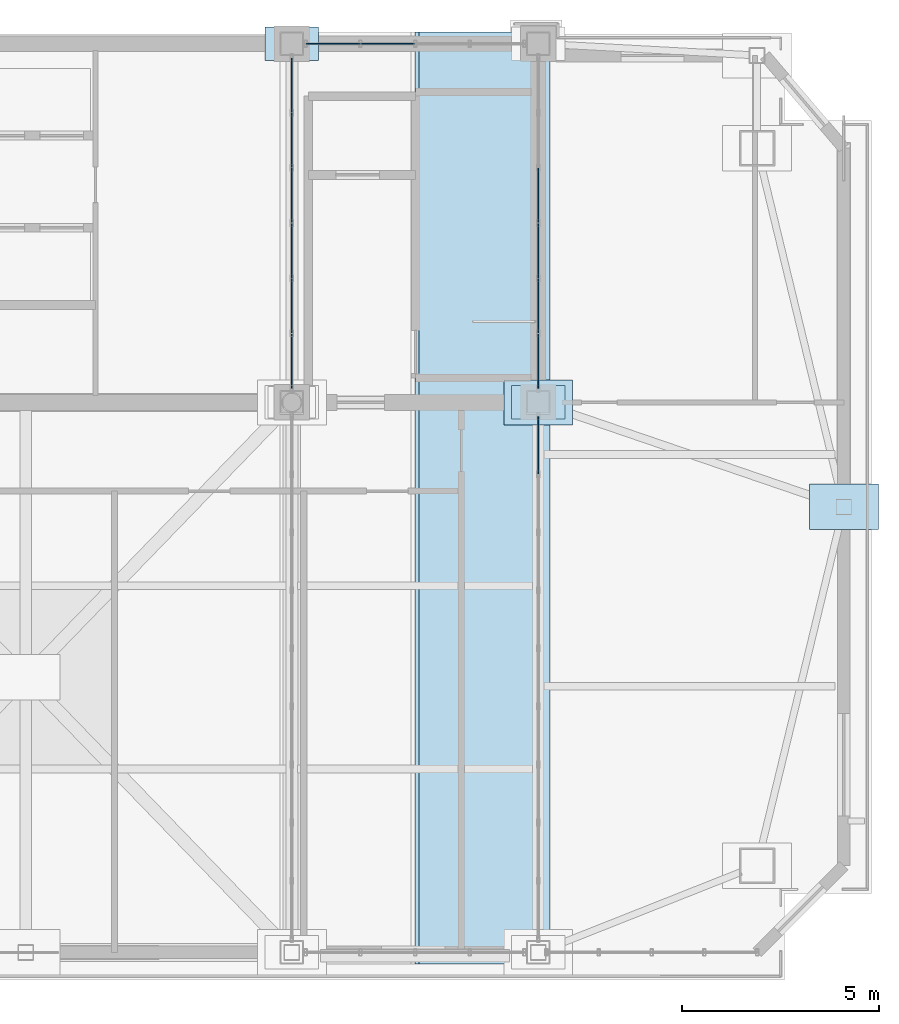
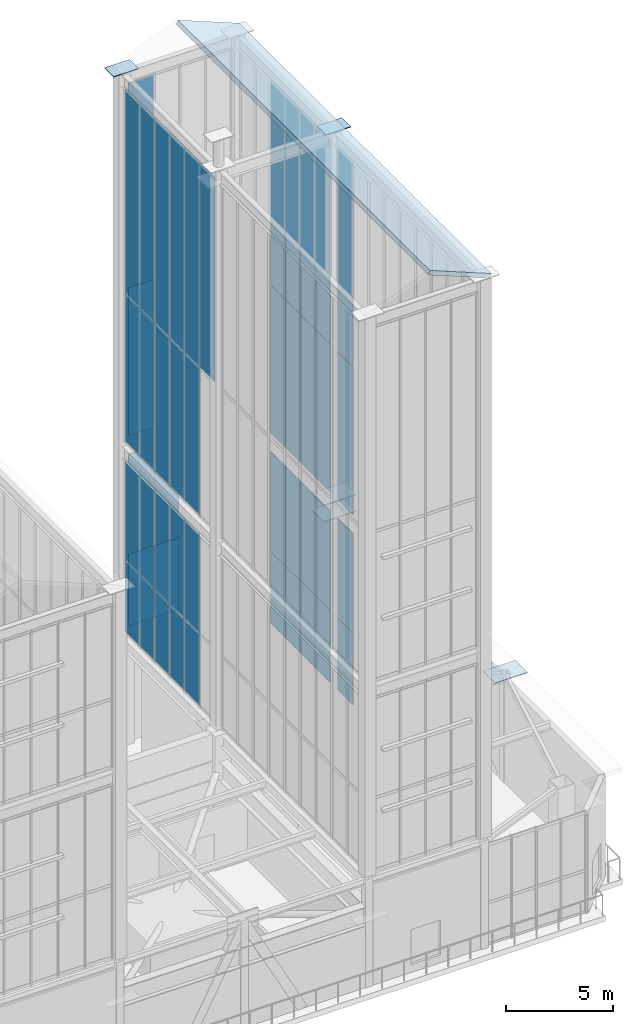
# One storey, part 129 of 135: 52 plates, 1 slab, 8 elements without a shape of their own.
"""IFC4 building model written with IfcOpenShell, lengths in metres."""

from ifc_helpers import new_model, si_unit, direction, frame, origin, origin_2d, place, context, subcontext, project, spatial, polyline, rectangle, outline, extrude, source, transform, mapped, material, layer, layer_set, type_object, element, aggregate, save


model = new_model("IFC4")

# Units and contexts
model_context = context("Model", 3, precision=1e-05, world=origin(), true_north=direction((0.0, 1.0)))
body_context = subcontext(model_context, "Body", "Model", "MODEL_VIEW")
ifc_project = project(units=[si_unit("LENGTHUNIT", "METRE"), si_unit("AREAUNIT", "SQUARE_METRE"), si_unit("VOLUMEUNIT", "CUBIC_METRE"), si_unit("PLANEANGLEUNIT", "RADIAN"), si_unit("MASSUNIT", "GRAM", prefix="KILO")], contexts=[model_context])

# Site, building, storey
site_placement = place(None, origin())
site = spatial("IfcSite", under=ifc_project, at=site_placement, CompositionType="ELEMENT")
building_placement = place(site_placement, origin())
building = spatial("IfcBuilding", under=site, at=building_placement, Name="Giltprow Tower", CompositionType="ELEMENT")
storey_placement = place(building_placement, frame((0.0, 0.0, 352.699951171875)))
storey = spatial("IfcBuildingStorey", under=building, at=storey_placement, Name="L92", CompositionType="ELEMENT", Elevation=352.699951171875)

# Slab
ifc_material_1 = material(Name="Concrete C40", Category="concrete")
ifc_layer_1 = layer(ifc_material_1, 0.25, Name="Concrete C40")
ifc_layer_set_1 = layer_set([ifc_layer_1], Name="Concrete C40")
slab_type = type_object("IfcSlabType", Name="SLB-CRN-ROOF-250", PredefinedType="ROOF", material=ifc_layer_set_1)
slab_placement = place(storey_placement, frame((47.52294921875, 23.199951171875, 39.9599609375), z_axis=(0.374544043649, 0.0, 0.927209123859), x_axis=(0.927209123859, 0.0, -0.374544043649)))
element("IfcSlab", 1, at=slab_placement, inside=storey, type_object=slab_type, Name="Crown East Pitched Roof Slab East", PredefinedType="ROOF", context=body_context, shape_type="SweptSolid", body=[
    extrude(outline(polyline([(0.0, 0.0), (3.588347387752895, 0.0), (3.588347387752895, 23.650146484375), (0.0, 23.650146484375), (0.0, 0.0)])), origin(), (0.0, 0.0, -1.0), 0.25),
])

# Plates
ifc_material_2 = material(Name="Structural steel Q420GJC", Category="steel")
plate_type_1 = type_object("IfcPlateType", Name="PLT-CAP-SEAL-INT", PredefinedType="USERDEFINED", material=ifc_material_2)
shared_shape_1 = source(origin(), body_context, "Body", "SweptSolid", [
    extrude(rectangle(XDim=1.75, YDim=1.14990234375, at=origin_2d()), origin(), (0.0, 0.0, 1.0), 0.0400390625),
])
for number, where, z_axis, x_axis, name in (
    (2, (58.300048828125, 34.800048828125, 6.14013671875), (0.0, 0.0, 1.0), (1.0, 0.0, 0.0), "L92 Column Top Seal Plate E_MID"),
    (3, (50.550048828125, 37.449951171875, 16.47998046875), (0.0, 0.0, 1.0), (1.0, 0.0, 0.0), "Crown Brace Upper Seal Plate EAST-1"),
    (4, (50.550048828125, 37.449951171875, 17.429931640625), (0.0, 0.0, 1.0), (1.0, 0.0, 0.0), "Crown Brace Lower Seal Plate EAST-2"),
):
    element("IfcPlate", number, at=place(storey_placement, frame(where, z_axis=z_axis, x_axis=x_axis)), inside=storey, type_object=plate_type_1, Name=name, ObjectType="SPLICE", PredefinedType="USERDEFINED", context=body_context, shape_type="MappedRepresentation", body=[
        mapped(shared_shape_1, transform((0.0, 0.0, 0.0), x_axis=(1.0, 0.0, 0.0), y_axis=(0.0, 1.0, 0.0), z_axis=(0.0, 0.0, 1.0), scale=1.0)),
    ])
plate_type_2 = type_object("IfcPlateType", Name="PLT-NODE-CRN1", PredefinedType="USERDEFINED", material=ifc_material_2)
shared_shape_2 = source(origin(), body_context, "Body", "SweptSolid", [
    extrude(rectangle(XDim=1.35009765625, YDim=0.85009765625, at=origin_2d()), origin(), (0.0, 0.0, 1.0), 0.035888671875),
])
for number, where, z_axis, x_axis, name in (
    (5, (50.550048828125, 37.449951171875, 38.47802734375), (0.0, 0.0, 1.0), (1.0, 0.0, 0.0), "CRN1 Crown Frame Ring Node EAST-3"),
    (6, (44.300048828125, 46.550048828125, 38.47802734375), (0.0, 0.0, 1.0), (1.0, 0.0, 0.0), "CRN1 Crown Frame Ring Node EAST-5"),
):
    element("IfcPlate", number, at=place(storey_placement, frame(where, z_axis=z_axis, x_axis=x_axis)), inside=storey, type_object=plate_type_2, Name=name, ObjectType="SPLICE", PredefinedType="USERDEFINED", context=body_context, shape_type="MappedRepresentation", body=[
        mapped(shared_shape_2, transform((0.0, 0.0, 0.0), x_axis=(1.0, 0.0, 0.0), y_axis=(0.0, 1.0, 0.0), z_axis=(0.0, 0.0, 1.0), scale=1.0)),
    ])

# Curtain wall, plates
ifc_material_3 = material(Name="Anodized bronze", Category="metal")
ifc_layer_2 = layer(ifc_material_3, 0.179931640625, Name="Anodized bronze")
ifc_layer_set_2 = layer_set([ifc_layer_2], Name="Anodized bronze")
curtain_wall_type = type_object("IfcCurtainWallType", Name="CW-CROWN-LANTERN", PredefinedType="NOTDEFINED", material=ifc_layer_set_2)
curtain_wall_1_placement = place(storey_placement, origin())
curtain_wall_1 = element("IfcCurtainWall", 7, at=curtain_wall_1_placement, inside=storey, type_object=curtain_wall_type, Name="Crown East Lower Lantern Glazing 2", PredefinedType="NOTDEFINED")
ifc_material_4 = material(Name="Insulated glass", Category="glass")
plate_type_3 = type_object("IfcPlateType", Name="CW-PANEL-IGU-28", PredefinedType="CURTAIN_PANEL", material=ifc_material_4)
shared_shape_3 = source(origin(), body_context, "Body", "SweptSolid", [
    extrude(rectangle(XDim=1.44189453125, YDim=0.028076171875, at=origin_2d()), origin(), (0.0, 0.0, 1.0), 4.111083984375),
])
plate_1_placement = place(storey_placement, frame((50.550048828125, 36.364013671875, 6.45361328125), z_axis=(0.0, 0.0, 1.0), x_axis=(0.0, 1.0, 0.0)))
plate_1 = element("IfcPlate", 8, at=plate_1_placement, type_object=plate_type_3, Name="Crown East Lower Lantern Glazing 2 Glazing Panel 9-1", PredefinedType="CURTAIN_PANEL", context=body_context, shape_type="MappedRepresentation", body=[
    mapped(shared_shape_3, transform((0.0, 0.0, 0.0), x_axis=(1.0, 0.0, 0.0), y_axis=(0.0, 1.0, 0.0), z_axis=(0.0, 0.0, 1.0), scale=1.0)),
])
shared_shape_4 = source(origin(), body_context, "Body", "SweptSolid", [
    extrude(rectangle(XDim=1.44189453125, YDim=0.028076171875, at=origin_2d()), origin(), (0.0, 0.0, 1.0), 5.702880859375),
])
plate_2_placement = place(storey_placement, frame((50.550048828125, 36.364013671875, 10.5927734375), z_axis=(0.0, 0.0, 1.0), x_axis=(0.0, 1.0, 0.0)))
plate_2 = element("IfcPlate", 9, at=plate_2_placement, type_object=plate_type_3, Name="Crown East Lower Lantern Glazing 2 Glazing Panel 9-2", PredefinedType="CURTAIN_PANEL", context=body_context, shape_type="MappedRepresentation", body=[
    mapped(shared_shape_4, transform((0.0, 0.0, 0.0), x_axis=(1.0, 0.0, 0.0), y_axis=(0.0, 1.0, 0.0), z_axis=(0.0, 0.0, 1.0), scale=1.0)),
])
aggregate(curtain_wall_1, [plate_1, plate_2])

curtain_wall_2_placement = place(storey_placement, origin())
curtain_wall_2 = element("IfcCurtainWall", 10, at=curtain_wall_2_placement, inside=storey, type_object=curtain_wall_type, Name="Crown East Lower Lantern Glazing 3", PredefinedType="NOTDEFINED")
shared_shape_5 = source(origin(), body_context, "Body", "SweptSolid", [
    extrude(rectangle(XDim=1.3701171875, YDim=0.028076171875, at=origin_2d()), origin(), (0.0, 0.0, 1.0), 4.111083984375),
])
plate_3_placement = place(storey_placement, frame((50.550048828125, 38.5, 6.45361328125), z_axis=(0.0, 0.0, 1.0), x_axis=(0.0, 1.0, 0.0)))
plate_3 = element("IfcPlate", 11, at=plate_3_placement, type_object=plate_type_3, Name="Crown East Lower Lantern Glazing 3 Glazing Panel 1-1", PredefinedType="CURTAIN_PANEL", context=body_context, shape_type="MappedRepresentation", body=[
    mapped(shared_shape_5, transform((0.0, 0.0, 0.0), x_axis=(1.0, 0.0, 0.0), y_axis=(0.0, 1.0, 0.0), z_axis=(0.0, 0.0, 1.0), scale=1.0)),
])
plate_4_placement = place(storey_placement, frame((50.550048828125, 39.89990234375, 6.45361328125), z_axis=(0.0, 0.0, 1.0), x_axis=(0.0, 1.0, 0.0)))
plate_4 = element("IfcPlate", 12, at=plate_4_placement, type_object=plate_type_3, Name="Crown East Lower Lantern Glazing 3 Glazing Panel 2-1", PredefinedType="CURTAIN_PANEL", context=body_context, shape_type="MappedRepresentation", body=[
    mapped(shared_shape_5, transform((0.0, 0.0, 0.0), x_axis=(1.0, 0.0, 0.0), y_axis=(0.0, 1.0, 0.0), z_axis=(0.0, 0.0, 1.0), scale=1.0)),
])
plate_5_placement = place(storey_placement, frame((50.550048828125, 41.300048828125, 6.45361328125), z_axis=(0.0, 0.0, 1.0), x_axis=(0.0, 1.0, 0.0)))
plate_5 = element("IfcPlate", 13, at=plate_5_placement, type_object=plate_type_3, Name="Crown East Lower Lantern Glazing 3 Glazing Panel 3-1", PredefinedType="CURTAIN_PANEL", context=body_context, shape_type="MappedRepresentation", body=[
    mapped(shared_shape_5, transform((0.0, 0.0, 0.0), x_axis=(1.0, 0.0, 0.0), y_axis=(0.0, 1.0, 0.0), z_axis=(0.0, 0.0, 1.0), scale=1.0)),
])
plate_6_placement = place(storey_placement, frame((50.550048828125, 42.699951171875, 6.45361328125), z_axis=(0.0, 0.0, 1.0), x_axis=(0.0, 1.0, 0.0)))
plate_6 = element("IfcPlate", 14, at=plate_6_placement, type_object=plate_type_3, Name="Crown East Lower Lantern Glazing 3 Glazing Panel 4-1", PredefinedType="CURTAIN_PANEL", context=body_context, shape_type="MappedRepresentation", body=[
    mapped(shared_shape_5, transform((0.0, 0.0, 0.0), x_axis=(1.0, 0.0, 0.0), y_axis=(0.0, 1.0, 0.0), z_axis=(0.0, 0.0, 1.0), scale=1.0)),
])

curtain_wall_3_placement = place(storey_placement, origin())
curtain_wall_3 = element("IfcCurtainWall", 15, at=curtain_wall_3_placement, inside=storey, type_object=curtain_wall_type, Name="Crown East Lower Lantern Glazing 5", PredefinedType="NOTDEFINED")
plate_7_placement = place(storey_placement, frame((44.300048828125, 45.5, 6.45361328125), z_axis=(0.0, 0.0, 1.0), x_axis=(0.0, -1.0, 0.0)))
plate_7 = element("IfcPlate", 16, at=plate_7_placement, type_object=plate_type_3, Name="Crown East Lower Lantern Glazing 5 Glazing Panel 1-1", PredefinedType="CURTAIN_PANEL", context=body_context, shape_type="MappedRepresentation", body=[
    mapped(shared_shape_5, transform((0.0, 0.0, 0.0), x_axis=(1.0, 0.0, 0.0), y_axis=(0.0, 1.0, 0.0), z_axis=(0.0, 0.0, 1.0), scale=1.0)),
])
plate_8_placement = place(storey_placement, frame((44.300048828125, 44.10009765625, 6.45361328125), z_axis=(0.0, 0.0, 1.0), x_axis=(0.0, -1.0, 0.0)))
plate_8 = element("IfcPlate", 17, at=plate_8_placement, type_object=plate_type_3, Name="Crown East Lower Lantern Glazing 5 Glazing Panel 2-1", PredefinedType="CURTAIN_PANEL", context=body_context, shape_type="MappedRepresentation", body=[
    mapped(shared_shape_5, transform((0.0, 0.0, 0.0), x_axis=(1.0, 0.0, 0.0), y_axis=(0.0, 1.0, 0.0), z_axis=(0.0, 0.0, 1.0), scale=1.0)),
])
plate_9_placement = place(storey_placement, frame((44.300048828125, 42.699951171875, 6.45361328125), z_axis=(0.0, 0.0, 1.0), x_axis=(0.0, -1.0, 0.0)))
plate_9 = element("IfcPlate", 18, at=plate_9_placement, type_object=plate_type_3, Name="Crown East Lower Lantern Glazing 5 Glazing Panel 3-1", PredefinedType="CURTAIN_PANEL", context=body_context, shape_type="MappedRepresentation", body=[
    mapped(shared_shape_5, transform((0.0, 0.0, 0.0), x_axis=(1.0, 0.0, 0.0), y_axis=(0.0, 1.0, 0.0), z_axis=(0.0, 0.0, 1.0), scale=1.0)),
])
plate_10_placement = place(storey_placement, frame((44.300048828125, 41.300048828125, 6.45361328125), z_axis=(0.0, 0.0, 1.0), x_axis=(0.0, -1.0, 0.0)))
plate_10 = element("IfcPlate", 19, at=plate_10_placement, type_object=plate_type_3, Name="Crown East Lower Lantern Glazing 5 Glazing Panel 4-1", PredefinedType="CURTAIN_PANEL", context=body_context, shape_type="MappedRepresentation", body=[
    mapped(shared_shape_5, transform((0.0, 0.0, 0.0), x_axis=(1.0, 0.0, 0.0), y_axis=(0.0, 1.0, 0.0), z_axis=(0.0, 0.0, 1.0), scale=1.0)),
])
plate_11_placement = place(storey_placement, frame((44.300048828125, 39.89990234375, 6.45361328125), z_axis=(0.0, 0.0, 1.0), x_axis=(0.0, -1.0, 0.0)))
plate_11 = element("IfcPlate", 20, at=plate_11_placement, type_object=plate_type_3, Name="Crown East Lower Lantern Glazing 5 Glazing Panel 5-1", PredefinedType="CURTAIN_PANEL", context=body_context, shape_type="MappedRepresentation", body=[
    mapped(shared_shape_5, transform((0.0, 0.0, 0.0), x_axis=(1.0, 0.0, 0.0), y_axis=(0.0, 1.0, 0.0), z_axis=(0.0, 0.0, 1.0), scale=1.0)),
])

# Plate
shared_shape_6 = source(origin(), body_context, "Body", "SweptSolid", [
    extrude(rectangle(XDim=1.3701171875, YDim=0.028076171875, at=origin_2d()), origin(), (0.0, 0.0, 1.0), 5.702880859375),
])
plate_12_placement = place(storey_placement, frame((50.550048828125, 38.5, 10.5927734375), z_axis=(0.0, 0.0, 1.0), x_axis=(0.0, 1.0, 0.0)))
plate_12 = element("IfcPlate", 21, at=plate_12_placement, type_object=plate_type_3, Name="Crown East Lower Lantern Glazing 3 Glazing Panel 1-2", PredefinedType="CURTAIN_PANEL", context=body_context, shape_type="MappedRepresentation", body=[
    mapped(shared_shape_6, transform((0.0, 0.0, 0.0), x_axis=(1.0, 0.0, 0.0), y_axis=(0.0, 1.0, 0.0), z_axis=(0.0, 0.0, 1.0), scale=1.0)),
])

plate_13_placement = place(storey_placement, frame((50.550048828125, 39.89990234375, 10.5927734375), z_axis=(0.0, 0.0, 1.0), x_axis=(0.0, 1.0, 0.0)))
plate_13 = element("IfcPlate", 22, at=plate_13_placement, type_object=plate_type_3, Name="Crown East Lower Lantern Glazing 3 Glazing Panel 2-2", PredefinedType="CURTAIN_PANEL", context=body_context, shape_type="MappedRepresentation", body=[
    mapped(shared_shape_6, transform((0.0, 0.0, 0.0), x_axis=(1.0, 0.0, 0.0), y_axis=(0.0, 1.0, 0.0), z_axis=(0.0, 0.0, 1.0), scale=1.0)),
])

plate_14_placement = place(storey_placement, frame((50.550048828125, 41.300048828125, 10.5927734375), z_axis=(0.0, 0.0, 1.0), x_axis=(0.0, 1.0, 0.0)))
plate_14 = element("IfcPlate", 23, at=plate_14_placement, type_object=plate_type_3, Name="Crown East Lower Lantern Glazing 3 Glazing Panel 3-2", PredefinedType="CURTAIN_PANEL", context=body_context, shape_type="MappedRepresentation", body=[
    mapped(shared_shape_6, transform((0.0, 0.0, 0.0), x_axis=(1.0, 0.0, 0.0), y_axis=(0.0, 1.0, 0.0), z_axis=(0.0, 0.0, 1.0), scale=1.0)),
])

plate_15_placement = place(storey_placement, frame((50.550048828125, 42.699951171875, 10.5927734375), z_axis=(0.0, 0.0, 1.0), x_axis=(0.0, 1.0, 0.0)))
plate_15 = element("IfcPlate", 24, at=plate_15_placement, type_object=plate_type_3, Name="Crown East Lower Lantern Glazing 3 Glazing Panel 4-2", PredefinedType="CURTAIN_PANEL", context=body_context, shape_type="MappedRepresentation", body=[
    mapped(shared_shape_6, transform((0.0, 0.0, 0.0), x_axis=(1.0, 0.0, 0.0), y_axis=(0.0, 1.0, 0.0), z_axis=(0.0, 0.0, 1.0), scale=1.0)),
])

aggregate(curtain_wall_2, [plate_3, plate_12, plate_4, plate_13, plate_5, plate_14, plate_6, plate_15])

plate_16_placement = place(storey_placement, frame((44.300048828125, 45.5, 10.5927734375), z_axis=(0.0, 0.0, 1.0), x_axis=(0.0, -1.0, 0.0)))
plate_16 = element("IfcPlate", 25, at=plate_16_placement, type_object=plate_type_3, Name="Crown East Lower Lantern Glazing 5 Glazing Panel 1-2", PredefinedType="CURTAIN_PANEL", context=body_context, shape_type="MappedRepresentation", body=[
    mapped(shared_shape_6, transform((0.0, 0.0, 0.0), x_axis=(1.0, 0.0, 0.0), y_axis=(0.0, 1.0, 0.0), z_axis=(0.0, 0.0, 1.0), scale=1.0)),
])

plate_17_placement = place(storey_placement, frame((44.300048828125, 44.10009765625, 10.5927734375), z_axis=(0.0, 0.0, 1.0), x_axis=(0.0, -1.0, 0.0)))
plate_17 = element("IfcPlate", 26, at=plate_17_placement, type_object=plate_type_3, Name="Crown East Lower Lantern Glazing 5 Glazing Panel 2-2", PredefinedType="CURTAIN_PANEL", context=body_context, shape_type="MappedRepresentation", body=[
    mapped(shared_shape_6, transform((0.0, 0.0, 0.0), x_axis=(1.0, 0.0, 0.0), y_axis=(0.0, 1.0, 0.0), z_axis=(0.0, 0.0, 1.0), scale=1.0)),
])

plate_18_placement = place(storey_placement, frame((44.300048828125, 42.699951171875, 10.5927734375), z_axis=(0.0, 0.0, 1.0), x_axis=(0.0, -1.0, 0.0)))
plate_18 = element("IfcPlate", 27, at=plate_18_placement, type_object=plate_type_3, Name="Crown East Lower Lantern Glazing 5 Glazing Panel 3-2", PredefinedType="CURTAIN_PANEL", context=body_context, shape_type="MappedRepresentation", body=[
    mapped(shared_shape_6, transform((0.0, 0.0, 0.0), x_axis=(1.0, 0.0, 0.0), y_axis=(0.0, 1.0, 0.0), z_axis=(0.0, 0.0, 1.0), scale=1.0)),
])

plate_19_placement = place(storey_placement, frame((44.300048828125, 41.300048828125, 10.5927734375), z_axis=(0.0, 0.0, 1.0), x_axis=(0.0, -1.0, 0.0)))
plate_19 = element("IfcPlate", 28, at=plate_19_placement, type_object=plate_type_3, Name="Crown East Lower Lantern Glazing 5 Glazing Panel 4-2", PredefinedType="CURTAIN_PANEL", context=body_context, shape_type="MappedRepresentation", body=[
    mapped(shared_shape_6, transform((0.0, 0.0, 0.0), x_axis=(1.0, 0.0, 0.0), y_axis=(0.0, 1.0, 0.0), z_axis=(0.0, 0.0, 1.0), scale=1.0)),
])

plate_20_placement = place(storey_placement, frame((44.300048828125, 39.89990234375, 10.5927734375), z_axis=(0.0, 0.0, 1.0), x_axis=(0.0, -1.0, 0.0)))
plate_20 = element("IfcPlate", 29, at=plate_20_placement, type_object=plate_type_3, Name="Crown East Lower Lantern Glazing 5 Glazing Panel 5-2", PredefinedType="CURTAIN_PANEL", context=body_context, shape_type="MappedRepresentation", body=[
    mapped(shared_shape_6, transform((0.0, 0.0, 0.0), x_axis=(1.0, 0.0, 0.0), y_axis=(0.0, 1.0, 0.0), z_axis=(0.0, 0.0, 1.0), scale=1.0)),
])

aggregate(curtain_wall_3, [plate_7, plate_16, plate_8, plate_17, plate_9, plate_18, plate_10, plate_19, plate_11, plate_20])

# Curtain wall, plates
curtain_wall_4_placement = place(storey_placement, origin())
curtain_wall_4 = element("IfcCurtainWall", 30, at=curtain_wall_4_placement, inside=storey, type_object=curtain_wall_type, Name="Crown East Lower Lantern Glazing 4", PredefinedType="NOTDEFINED")
shared_shape_7 = source(origin(), body_context, "Body", "SweptSolid", [
    extrude(rectangle(XDim=1.35791015625, YDim=0.028076171875, at=origin_2d()), origin(), (0.0, 0.0, 1.0), 4.111083984375),
])
plate_21_placement = place(storey_placement, frame((46.73095703125, 46.550048828125, 6.45361328125), z_axis=(0.0, 0.0, 1.0), x_axis=(-1.0, 0.0, 0.0)))
plate_21 = element("IfcPlate", 31, at=plate_21_placement, type_object=plate_type_3, Name="Crown East Lower Lantern Glazing 4 Glazing Panel 3-1", PredefinedType="CURTAIN_PANEL", context=body_context, shape_type="MappedRepresentation", body=[
    mapped(shared_shape_7, transform((0.0, 0.0, 0.0), x_axis=(1.0, 0.0, 0.0), y_axis=(0.0, 1.0, 0.0), z_axis=(0.0, 0.0, 1.0), scale=1.0)),
])
plate_22_placement = place(storey_placement, frame((45.343994140625, 46.550048828125, 6.45361328125), z_axis=(0.0, 0.0, 1.0), x_axis=(-1.0, 0.0, 0.0)))
plate_22 = element("IfcPlate", 32, at=plate_22_placement, type_object=plate_type_3, Name="Crown East Lower Lantern Glazing 4 Glazing Panel 4-1", PredefinedType="CURTAIN_PANEL", context=body_context, shape_type="MappedRepresentation", body=[
    mapped(shared_shape_7, transform((0.0, 0.0, 0.0), x_axis=(1.0, 0.0, 0.0), y_axis=(0.0, 1.0, 0.0), z_axis=(0.0, 0.0, 1.0), scale=1.0)),
])
shared_shape_8 = source(origin(), body_context, "Body", "SweptSolid", [
    extrude(rectangle(XDim=1.35791015625, YDim=0.028076171875, at=origin_2d()), origin(), (0.0, 0.0, 1.0), 5.702880859375),
])
plate_23_placement = place(storey_placement, frame((46.73095703125, 46.550048828125, 10.5927734375), z_axis=(0.0, 0.0, 1.0), x_axis=(-1.0, 0.0, 0.0)))
plate_23 = element("IfcPlate", 33, at=plate_23_placement, type_object=plate_type_3, Name="Crown East Lower Lantern Glazing 4 Glazing Panel 3-2", PredefinedType="CURTAIN_PANEL", context=body_context, shape_type="MappedRepresentation", body=[
    mapped(shared_shape_8, transform((0.0, 0.0, 0.0), x_axis=(1.0, 0.0, 0.0), y_axis=(0.0, 1.0, 0.0), z_axis=(0.0, 0.0, 1.0), scale=1.0)),
])
plate_24_placement = place(storey_placement, frame((45.343994140625, 46.550048828125, 10.5927734375), z_axis=(0.0, 0.0, 1.0), x_axis=(-1.0, 0.0, 0.0)))
plate_24 = element("IfcPlate", 34, at=plate_24_placement, type_object=plate_type_3, Name="Crown East Lower Lantern Glazing 4 Glazing Panel 4-2", PredefinedType="CURTAIN_PANEL", context=body_context, shape_type="MappedRepresentation", body=[
    mapped(shared_shape_8, transform((0.0, 0.0, 0.0), x_axis=(1.0, 0.0, 0.0), y_axis=(0.0, 1.0, 0.0), z_axis=(0.0, 0.0, 1.0), scale=1.0)),
])
aggregate(curtain_wall_4, [plate_21, plate_23, plate_22, plate_24])

curtain_wall_5_placement = place(storey_placement, origin())
curtain_wall_5 = element("IfcCurtainWall", 35, at=curtain_wall_5_placement, inside=storey, type_object=curtain_wall_type, Name="Crown East Upper Lantern Glazing 4", PredefinedType="NOTDEFINED")
shared_shape_9 = source(origin(), body_context, "Body", "SweptSolid", [
    extrude(rectangle(XDim=1.35791015625, YDim=0.028076171875, at=origin_2d()), origin(), (0.0, 0.0, 1.0), 8.465087890625),
])
plate_25_placement = place(storey_placement, frame((45.343994140625, 46.550048828125, 17.3544921875), z_axis=(0.0, 0.0, 1.0), x_axis=(-1.0, 0.0, 0.0)))
plate_25 = element("IfcPlate", 36, at=plate_25_placement, type_object=plate_type_3, Name="Crown East Upper Lantern Glazing 4 Glazing Panel 4-1", PredefinedType="CURTAIN_PANEL", context=body_context, shape_type="MappedRepresentation", body=[
    mapped(shared_shape_9, transform((0.0, 0.0, 0.0), x_axis=(1.0, 0.0, 0.0), y_axis=(0.0, 1.0, 0.0), z_axis=(0.0, 0.0, 1.0), scale=1.0)),
])
shared_shape_10 = source(origin(), body_context, "Body", "SweptSolid", [
    extrude(rectangle(XDim=1.35791015625, YDim=0.028076171875, at=origin_2d()), origin(), (0.0, 0.0, 1.0), 11.715087890625),
])
plate_26_placement = place(storey_placement, frame((45.343994140625, 46.550048828125, 25.8466796875), z_axis=(0.0, 0.0, 1.0), x_axis=(-1.0, 0.0, 0.0)))
plate_26 = element("IfcPlate", 37, at=plate_26_placement, type_object=plate_type_3, Name="Crown East Upper Lantern Glazing 4 Glazing Panel 4-2", PredefinedType="CURTAIN_PANEL", context=body_context, shape_type="MappedRepresentation", body=[
    mapped(shared_shape_10, transform((0.0, 0.0, 0.0), x_axis=(1.0, 0.0, 0.0), y_axis=(0.0, 1.0, 0.0), z_axis=(0.0, 0.0, 1.0), scale=1.0)),
])
aggregate(curtain_wall_5, [plate_25, plate_26])

curtain_wall_6_placement = place(storey_placement, origin())
curtain_wall_6 = element("IfcCurtainWall", 38, at=curtain_wall_6_placement, inside=storey, type_object=curtain_wall_type, Name="Crown East Upper Lantern Glazing 2", PredefinedType="NOTDEFINED")
shared_shape_11 = source(origin(), body_context, "Body", "SweptSolid", [
    extrude(rectangle(XDim=1.44189453125, YDim=0.028076171875, at=origin_2d()), origin(), (0.0, 0.0, 1.0), 8.465087890625),
])
plate_27_placement = place(storey_placement, frame((50.550048828125, 36.364013671875, 17.3544921875), z_axis=(0.0, 0.0, 1.0), x_axis=(0.0, 1.0, 0.0)))
plate_27 = element("IfcPlate", 39, at=plate_27_placement, type_object=plate_type_3, Name="Crown East Upper Lantern Glazing 2 Glazing Panel 9-1", PredefinedType="CURTAIN_PANEL", context=body_context, shape_type="MappedRepresentation", body=[
    mapped(shared_shape_11, transform((0.0, 0.0, 0.0), x_axis=(1.0, 0.0, 0.0), y_axis=(0.0, 1.0, 0.0), z_axis=(0.0, 0.0, 1.0), scale=1.0)),
])
shared_shape_12 = source(origin(), body_context, "Body", "SweptSolid", [
    extrude(rectangle(XDim=1.44189453125, YDim=0.028076171875, at=origin_2d()), origin(), (0.0, 0.0, 1.0), 11.715087890625),
])
plate_28_placement = place(storey_placement, frame((50.550048828125, 36.364013671875, 25.8466796875), z_axis=(0.0, 0.0, 1.0), x_axis=(0.0, 1.0, 0.0)))
plate_28 = element("IfcPlate", 40, at=plate_28_placement, type_object=plate_type_3, Name="Crown East Upper Lantern Glazing 2 Glazing Panel 9-2", PredefinedType="CURTAIN_PANEL", context=body_context, shape_type="MappedRepresentation", body=[
    mapped(shared_shape_12, transform((0.0, 0.0, 0.0), x_axis=(1.0, 0.0, 0.0), y_axis=(0.0, 1.0, 0.0), z_axis=(0.0, 0.0, 1.0), scale=1.0)),
])
aggregate(curtain_wall_6, [plate_27, plate_28])

curtain_wall_7_placement = place(storey_placement, origin())
curtain_wall_7 = element("IfcCurtainWall", 41, at=curtain_wall_7_placement, inside=storey, type_object=curtain_wall_type, Name="Crown East Upper Lantern Glazing 3", PredefinedType="NOTDEFINED")
shared_shape_13 = source(origin(), body_context, "Body", "SweptSolid", [
    extrude(rectangle(XDim=1.3701171875, YDim=0.028076171875, at=origin_2d()), origin(), (0.0, 0.0, 1.0), 8.465087890625),
])
plate_29_placement = place(storey_placement, frame((50.550048828125, 38.5, 17.3544921875), z_axis=(0.0, 0.0, 1.0), x_axis=(0.0, 1.0, 0.0)))
plate_29 = element("IfcPlate", 42, at=plate_29_placement, type_object=plate_type_3, Name="Crown East Upper Lantern Glazing 3 Glazing Panel 1-1", PredefinedType="CURTAIN_PANEL", context=body_context, shape_type="MappedRepresentation", body=[
    mapped(shared_shape_13, transform((0.0, 0.0, 0.0), x_axis=(1.0, 0.0, 0.0), y_axis=(0.0, 1.0, 0.0), z_axis=(0.0, 0.0, 1.0), scale=1.0)),
])
plate_30_placement = place(storey_placement, frame((50.550048828125, 39.89990234375, 17.3544921875), z_axis=(0.0, 0.0, 1.0), x_axis=(0.0, 1.0, 0.0)))
plate_30 = element("IfcPlate", 43, at=plate_30_placement, type_object=plate_type_3, Name="Crown East Upper Lantern Glazing 3 Glazing Panel 2-1", PredefinedType="CURTAIN_PANEL", context=body_context, shape_type="MappedRepresentation", body=[
    mapped(shared_shape_13, transform((0.0, 0.0, 0.0), x_axis=(1.0, 0.0, 0.0), y_axis=(0.0, 1.0, 0.0), z_axis=(0.0, 0.0, 1.0), scale=1.0)),
])
plate_31_placement = place(storey_placement, frame((50.550048828125, 41.300048828125, 17.3544921875), z_axis=(0.0, 0.0, 1.0), x_axis=(0.0, 1.0, 0.0)))
plate_31 = element("IfcPlate", 44, at=plate_31_placement, type_object=plate_type_3, Name="Crown East Upper Lantern Glazing 3 Glazing Panel 3-1", PredefinedType="CURTAIN_PANEL", context=body_context, shape_type="MappedRepresentation", body=[
    mapped(shared_shape_13, transform((0.0, 0.0, 0.0), x_axis=(1.0, 0.0, 0.0), y_axis=(0.0, 1.0, 0.0), z_axis=(0.0, 0.0, 1.0), scale=1.0)),
])
plate_32_placement = place(storey_placement, frame((50.550048828125, 42.699951171875, 17.3544921875), z_axis=(0.0, 0.0, 1.0), x_axis=(0.0, 1.0, 0.0)))
plate_32 = element("IfcPlate", 45, at=plate_32_placement, type_object=plate_type_3, Name="Crown East Upper Lantern Glazing 3 Glazing Panel 4-1", PredefinedType="CURTAIN_PANEL", context=body_context, shape_type="MappedRepresentation", body=[
    mapped(shared_shape_13, transform((0.0, 0.0, 0.0), x_axis=(1.0, 0.0, 0.0), y_axis=(0.0, 1.0, 0.0), z_axis=(0.0, 0.0, 1.0), scale=1.0)),
])

curtain_wall_8_placement = place(storey_placement, origin())
curtain_wall_8 = element("IfcCurtainWall", 46, at=curtain_wall_8_placement, inside=storey, type_object=curtain_wall_type, Name="Crown East Upper Lantern Glazing 5", PredefinedType="NOTDEFINED")
plate_33_placement = place(storey_placement, frame((44.300048828125, 45.5, 17.3544921875), z_axis=(0.0, 0.0, 1.0), x_axis=(0.0, -1.0, 0.0)))
plate_33 = element("IfcPlate", 47, at=plate_33_placement, type_object=plate_type_3, Name="Crown East Upper Lantern Glazing 5 Glazing Panel 1-1", PredefinedType="CURTAIN_PANEL", context=body_context, shape_type="MappedRepresentation", body=[
    mapped(shared_shape_13, transform((0.0, 0.0, 0.0), x_axis=(1.0, 0.0, 0.0), y_axis=(0.0, 1.0, 0.0), z_axis=(0.0, 0.0, 1.0), scale=1.0)),
])
plate_34_placement = place(storey_placement, frame((44.300048828125, 44.10009765625, 17.3544921875), z_axis=(0.0, 0.0, 1.0), x_axis=(0.0, -1.0, 0.0)))
plate_34 = element("IfcPlate", 48, at=plate_34_placement, type_object=plate_type_3, Name="Crown East Upper Lantern Glazing 5 Glazing Panel 2-1", PredefinedType="CURTAIN_PANEL", context=body_context, shape_type="MappedRepresentation", body=[
    mapped(shared_shape_13, transform((0.0, 0.0, 0.0), x_axis=(1.0, 0.0, 0.0), y_axis=(0.0, 1.0, 0.0), z_axis=(0.0, 0.0, 1.0), scale=1.0)),
])
plate_35_placement = place(storey_placement, frame((44.300048828125, 42.699951171875, 17.3544921875), z_axis=(0.0, 0.0, 1.0), x_axis=(0.0, -1.0, 0.0)))
plate_35 = element("IfcPlate", 49, at=plate_35_placement, type_object=plate_type_3, Name="Crown East Upper Lantern Glazing 5 Glazing Panel 3-1", PredefinedType="CURTAIN_PANEL", context=body_context, shape_type="MappedRepresentation", body=[
    mapped(shared_shape_13, transform((0.0, 0.0, 0.0), x_axis=(1.0, 0.0, 0.0), y_axis=(0.0, 1.0, 0.0), z_axis=(0.0, 0.0, 1.0), scale=1.0)),
])
plate_36_placement = place(storey_placement, frame((44.300048828125, 41.300048828125, 17.3544921875), z_axis=(0.0, 0.0, 1.0), x_axis=(0.0, -1.0, 0.0)))
plate_36 = element("IfcPlate", 50, at=plate_36_placement, type_object=plate_type_3, Name="Crown East Upper Lantern Glazing 5 Glazing Panel 4-1", PredefinedType="CURTAIN_PANEL", context=body_context, shape_type="MappedRepresentation", body=[
    mapped(shared_shape_13, transform((0.0, 0.0, 0.0), x_axis=(1.0, 0.0, 0.0), y_axis=(0.0, 1.0, 0.0), z_axis=(0.0, 0.0, 1.0), scale=1.0)),
])
plate_37_placement = place(storey_placement, frame((44.300048828125, 39.89990234375, 17.3544921875), z_axis=(0.0, 0.0, 1.0), x_axis=(0.0, -1.0, 0.0)))
plate_37 = element("IfcPlate", 51, at=plate_37_placement, type_object=plate_type_3, Name="Crown East Upper Lantern Glazing 5 Glazing Panel 5-1", PredefinedType="CURTAIN_PANEL", context=body_context, shape_type="MappedRepresentation", body=[
    mapped(shared_shape_13, transform((0.0, 0.0, 0.0), x_axis=(1.0, 0.0, 0.0), y_axis=(0.0, 1.0, 0.0), z_axis=(0.0, 0.0, 1.0), scale=1.0)),
])

# Plate
shared_shape_14 = source(origin(), body_context, "Body", "SweptSolid", [
    extrude(rectangle(XDim=1.3701171875, YDim=0.028076171875, at=origin_2d()), origin(), (0.0, 0.0, 1.0), 11.715087890625),
])
plate_38_placement = place(storey_placement, frame((50.550048828125, 38.5, 25.8466796875), z_axis=(0.0, 0.0, 1.0), x_axis=(0.0, 1.0, 0.0)))
plate_38 = element("IfcPlate", 52, at=plate_38_placement, type_object=plate_type_3, Name="Crown East Upper Lantern Glazing 3 Glazing Panel 1-2", PredefinedType="CURTAIN_PANEL", context=body_context, shape_type="MappedRepresentation", body=[
    mapped(shared_shape_14, transform((0.0, 0.0, 0.0), x_axis=(1.0, 0.0, 0.0), y_axis=(0.0, 1.0, 0.0), z_axis=(0.0, 0.0, 1.0), scale=1.0)),
])

plate_39_placement = place(storey_placement, frame((50.550048828125, 39.89990234375, 25.8466796875), z_axis=(0.0, 0.0, 1.0), x_axis=(0.0, 1.0, 0.0)))
plate_39 = element("IfcPlate", 53, at=plate_39_placement, type_object=plate_type_3, Name="Crown East Upper Lantern Glazing 3 Glazing Panel 2-2", PredefinedType="CURTAIN_PANEL", context=body_context, shape_type="MappedRepresentation", body=[
    mapped(shared_shape_14, transform((0.0, 0.0, 0.0), x_axis=(1.0, 0.0, 0.0), y_axis=(0.0, 1.0, 0.0), z_axis=(0.0, 0.0, 1.0), scale=1.0)),
])

plate_40_placement = place(storey_placement, frame((50.550048828125, 41.300048828125, 25.8466796875), z_axis=(0.0, 0.0, 1.0), x_axis=(0.0, 1.0, 0.0)))
plate_40 = element("IfcPlate", 54, at=plate_40_placement, type_object=plate_type_3, Name="Crown East Upper Lantern Glazing 3 Glazing Panel 3-2", PredefinedType="CURTAIN_PANEL", context=body_context, shape_type="MappedRepresentation", body=[
    mapped(shared_shape_14, transform((0.0, 0.0, 0.0), x_axis=(1.0, 0.0, 0.0), y_axis=(0.0, 1.0, 0.0), z_axis=(0.0, 0.0, 1.0), scale=1.0)),
])

plate_41_placement = place(storey_placement, frame((50.550048828125, 42.699951171875, 25.8466796875), z_axis=(0.0, 0.0, 1.0), x_axis=(0.0, 1.0, 0.0)))
plate_41 = element("IfcPlate", 55, at=plate_41_placement, type_object=plate_type_3, Name="Crown East Upper Lantern Glazing 3 Glazing Panel 4-2", PredefinedType="CURTAIN_PANEL", context=body_context, shape_type="MappedRepresentation", body=[
    mapped(shared_shape_14, transform((0.0, 0.0, 0.0), x_axis=(1.0, 0.0, 0.0), y_axis=(0.0, 1.0, 0.0), z_axis=(0.0, 0.0, 1.0), scale=1.0)),
])

aggregate(curtain_wall_7, [plate_29, plate_38, plate_30, plate_39, plate_31, plate_40, plate_32, plate_41])

plate_42_placement = place(storey_placement, frame((44.300048828125, 45.5, 25.8466796875), z_axis=(0.0, 0.0, 1.0), x_axis=(0.0, -1.0, 0.0)))
plate_42 = element("IfcPlate", 56, at=plate_42_placement, type_object=plate_type_3, Name="Crown East Upper Lantern Glazing 5 Glazing Panel 1-2", PredefinedType="CURTAIN_PANEL", context=body_context, shape_type="MappedRepresentation", body=[
    mapped(shared_shape_14, transform((0.0, 0.0, 0.0), x_axis=(1.0, 0.0, 0.0), y_axis=(0.0, 1.0, 0.0), z_axis=(0.0, 0.0, 1.0), scale=1.0)),
])

plate_43_placement = place(storey_placement, frame((44.300048828125, 44.10009765625, 25.8466796875), z_axis=(0.0, 0.0, 1.0), x_axis=(0.0, -1.0, 0.0)))
plate_43 = element("IfcPlate", 57, at=plate_43_placement, type_object=plate_type_3, Name="Crown East Upper Lantern Glazing 5 Glazing Panel 2-2", PredefinedType="CURTAIN_PANEL", context=body_context, shape_type="MappedRepresentation", body=[
    mapped(shared_shape_14, transform((0.0, 0.0, 0.0), x_axis=(1.0, 0.0, 0.0), y_axis=(0.0, 1.0, 0.0), z_axis=(0.0, 0.0, 1.0), scale=1.0)),
])

plate_44_placement = place(storey_placement, frame((44.300048828125, 42.699951171875, 25.8466796875), z_axis=(0.0, 0.0, 1.0), x_axis=(0.0, -1.0, 0.0)))
plate_44 = element("IfcPlate", 58, at=plate_44_placement, type_object=plate_type_3, Name="Crown East Upper Lantern Glazing 5 Glazing Panel 3-2", PredefinedType="CURTAIN_PANEL", context=body_context, shape_type="MappedRepresentation", body=[
    mapped(shared_shape_14, transform((0.0, 0.0, 0.0), x_axis=(1.0, 0.0, 0.0), y_axis=(0.0, 1.0, 0.0), z_axis=(0.0, 0.0, 1.0), scale=1.0)),
])

plate_45_placement = place(storey_placement, frame((44.300048828125, 41.300048828125, 25.8466796875), z_axis=(0.0, 0.0, 1.0), x_axis=(0.0, -1.0, 0.0)))
plate_45 = element("IfcPlate", 59, at=plate_45_placement, type_object=plate_type_3, Name="Crown East Upper Lantern Glazing 5 Glazing Panel 4-2", PredefinedType="CURTAIN_PANEL", context=body_context, shape_type="MappedRepresentation", body=[
    mapped(shared_shape_14, transform((0.0, 0.0, 0.0), x_axis=(1.0, 0.0, 0.0), y_axis=(0.0, 1.0, 0.0), z_axis=(0.0, 0.0, 1.0), scale=1.0)),
])

plate_46_placement = place(storey_placement, frame((44.300048828125, 39.89990234375, 25.8466796875), z_axis=(0.0, 0.0, 1.0), x_axis=(0.0, -1.0, 0.0)))
plate_46 = element("IfcPlate", 60, at=plate_46_placement, type_object=plate_type_3, Name="Crown East Upper Lantern Glazing 5 Glazing Panel 5-2", PredefinedType="CURTAIN_PANEL", context=body_context, shape_type="MappedRepresentation", body=[
    mapped(shared_shape_14, transform((0.0, 0.0, 0.0), x_axis=(1.0, 0.0, 0.0), y_axis=(0.0, 1.0, 0.0), z_axis=(0.0, 0.0, 1.0), scale=1.0)),
])

plate_47_placement = place(storey_placement, frame((44.300048828125, 38.5, 25.8466796875), z_axis=(0.0, 0.0, 1.0), x_axis=(0.0, -1.0, 0.0)))
plate_47 = element("IfcPlate", 61, at=plate_47_placement, type_object=plate_type_3, Name="Crown East Upper Lantern Glazing 5 Glazing Panel 6-2", PredefinedType="CURTAIN_PANEL", context=body_context, shape_type="MappedRepresentation", body=[
    mapped(shared_shape_14, transform((0.0, 0.0, 0.0), x_axis=(1.0, 0.0, 0.0), y_axis=(0.0, 1.0, 0.0), z_axis=(0.0, 0.0, 1.0), scale=1.0)),
])

aggregate(curtain_wall_8, [plate_33, plate_42, plate_34, plate_43, plate_35, plate_44, plate_36, plate_45, plate_37, plate_46, plate_47])

save(model, "model.ifc")
